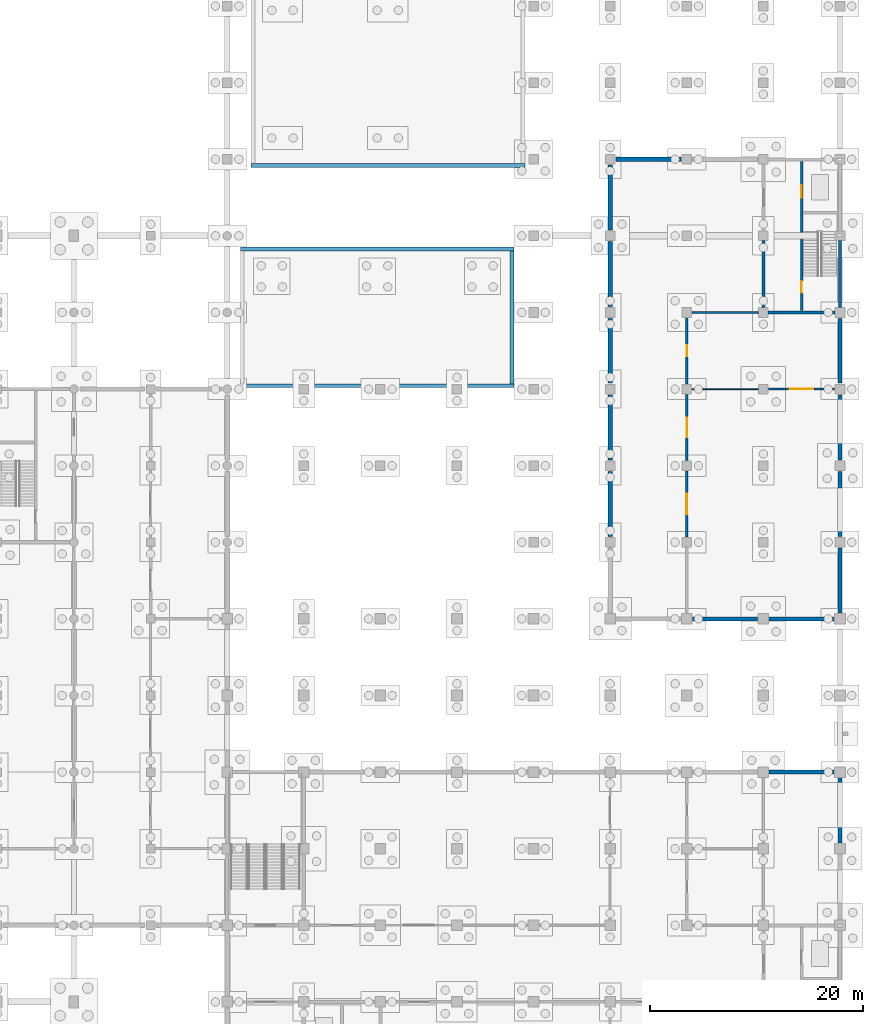
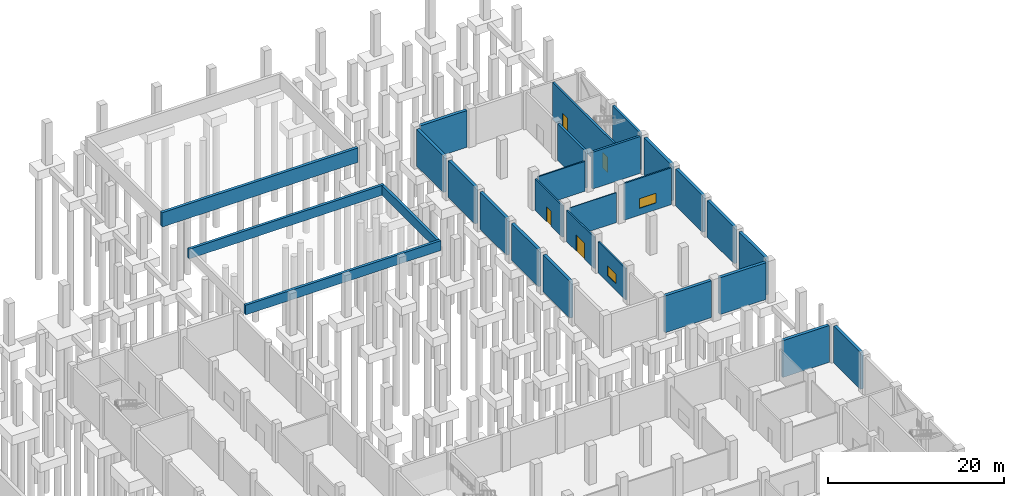
# One storey, part 25 of 35: 28 walls, 4 doors, 2 windows, 6 openings.
"""IFC4 building model written with IfcOpenShell, lengths in metres."""

from ifc_helpers import new_model, si_unit, direction, frame, frame_2d, origin, place, context, subcontext, project, spatial, rectangle, extrude, material, layer, layer_set, type_object, element, fill, save


model = new_model("IFC4")

# Units and contexts
model_context = context("Model", 3, precision=1e-05, world=origin(), true_north=direction((0.0, 1.0)))
body_context = subcontext(model_context, "Body", "Model", "MODEL_VIEW")
ifc_project = project(units=[si_unit("LENGTHUNIT", "METRE"), si_unit("AREAUNIT", "SQUARE_METRE"), si_unit("VOLUMEUNIT", "CUBIC_METRE"), si_unit("PLANEANGLEUNIT", "RADIAN"), si_unit("MASSUNIT", "GRAM", prefix="KILO")], contexts=[model_context])

# Site, building, storey
site_placement = place(None, origin())
site = spatial("IfcSite", under=ifc_project, at=site_placement, CompositionType="ELEMENT")
building_placement = place(site_placement, origin())
building = spatial("IfcBuilding", under=site, at=building_placement, Name="Vesperath Aquatics Centre", CompositionType="ELEMENT")
storey_placement = place(building_placement, frame((0.0, 0.0, -5.39990234375)))
storey = spatial("IfcBuildingStorey", under=building, at=storey_placement, Name="B1", CompositionType="ELEMENT", Elevation=-5.39990234375)

# Wall, opening, window
ifc_material_1 = material(Name="Masonry fire compartment wall", Category="masonry")
ifc_layer_1 = layer(ifc_material_1, 0.219970703125)
ifc_layer_set_1 = layer_set([ifc_layer_1], Name="Masonry fire compartment wall")
wall_type_1 = type_object("IfcWallType", Name="WL-FW02", PredefinedType="SOLIDWALL", material=ifc_layer_set_1)
wall_1_placement = place(storey_placement, frame((158.39990234375, 58.10009765625, 0.0), z_axis=(0.0, 0.0, 1.0), x_axis=(0.0, 1.0, 0.0)))
wall_1 = element("IfcWall", 1, at=wall_1_placement, inside=storey, type_object=wall_type_1, Name="Interior Partition FW02 B1_LINEN-W2", PredefinedType="SOLIDWALL", context=body_context, shape_type="SweptSolid", body=[
    extrude(rectangle(XDim=6.199951171875, YDim=0.219970703125, at=frame_2d((3.10009765625, 0.0))), origin(), (0.0, 0.0, 1.0), 4.369873046875),
])
opening_1_placement = place(wall_1_placement, frame((2.14990234375, 0.0, 0.949951171875)))
opening_1 = element("IfcOpeningElement", 2, at=opening_1_placement, cuts=wall_1, Name="Opening VW08", PredefinedType="OPENING", context=body_context, shape_type="SweptSolid", body=[
    extrude(rectangle(XDim=1.89990234375, YDim=1.35009765625, at=frame_2d((0.949951171875, 0.675048828125))), frame((0.0, 0.125, 0.0), z_axis=(0.0, -1.0, 0.0), x_axis=(1.0, 0.0, 0.0)), (0.0, 0.0, 1.0), 0.249755859375),
])
ifc_material_2 = material(Name="Acoustic laminated interior viewing glazing", Category="glass")
window_type_1 = type_object("IfcWindowType", Name="WN-IW08", PartitioningType="SINGLE_PANEL", PredefinedType="WINDOW", material=ifc_material_2)
window_1_placement = place(opening_1_placement, origin())
window_1 = element("IfcWindow", 3, at=window_1_placement, inside=storey, type_object=window_type_1, Name="Interior Viewing Window VW08 B1_LINEN", OverallHeight=1.35009765625, OverallWidth=1.89990234375, PartitioningType="SINGLE_PANEL", PredefinedType="WINDOW", context=body_context, shape_type="SweptSolid", body=[
    extrude(rectangle(XDim=1.89990234375, YDim=1.35009765625, at=frame_2d((0.949951171875, 0.675048828125))), frame((0.0, 0.030029296875, 0.0), z_axis=(0.0, -1.0, 0.0), x_axis=(1.0, 0.0, 0.0)), (0.0, 0.0, 1.0), 0.06005859375),
])
fill(opening_1, window_1)

# Wall, opening, door
ifc_material_3 = material(Name="Wet-village masonry block wall", Category="masonry")
ifc_layer_2 = layer(ifc_material_3, 0.199951171875)
ifc_layer_set_2 = layer_set([ifc_layer_2], Name="Wet-village masonry block wall")
wall_type_2 = type_object("IfcWallType", Name="WL-FW03", PredefinedType="SOLIDWALL", material=ifc_layer_set_2)
wall_2_placement = place(storey_placement, frame((158.39990234375, 65.300048828125, 0.0), z_axis=(0.0, 0.0, 1.0), x_axis=(0.0, 1.0, 0.0)))
wall_2 = element("IfcWall", 4, at=wall_2_placement, inside=storey, type_object=wall_type_2, Name="Interior Partition FW03 B1_LINEN-W3", PredefinedType="SOLIDWALL", context=body_context, shape_type="SweptSolid", body=[
    extrude(rectangle(XDim=6.199951171875, YDim=0.199951171875, at=frame_2d((3.10009765625, 0.0))), origin(), (0.0, 0.0, 1.0), 4.369873046875),
])
opening_2_placement = place(wall_2_placement, frame((2.175048828125, 0.0, 0.0)))
opening_2 = element("IfcOpeningElement", 5, at=opening_2_placement, cuts=wall_2, Name="Opening D15", PredefinedType="OPENING", context=body_context, shape_type="SweptSolid", body=[
    extrude(rectangle(XDim=1.85009765625, YDim=2.25, at=frame_2d((0.925048828125, 1.125))), frame((0.0, 0.11474609375, 0.0), z_axis=(0.0, -1.0, 0.0), x_axis=(1.0, 0.0, 0.0)), (0.0, 0.0, 1.0), 0.229736328125),
])
ifc_material_4 = material(Name="Pool equipment store double door", Category="steel")
door_type_1 = type_object("IfcDoorType", Name="DR-RM07", OperationType="DOUBLE_SWING_LEFT", PredefinedType="DOOR", material=ifc_material_4)
door_1_placement = place(opening_2_placement, frame((1.85009765625, 0.0, 0.0), z_axis=(0.0, 0.0, 1.0), x_axis=(-1.0, 0.0, 0.0)))
door_1 = element("IfcDoor", 6, at=door_1_placement, inside=storey, type_object=door_type_1, Name="Towel Laundry and Clean Linen Store Door D15", OperationType="DOUBLE_SWING_LEFT", OverallHeight=2.25, OverallWidth=1.85009765625, PredefinedType="DOOR", context=body_context, shape_type="SweptSolid", body=[
    extrude(rectangle(XDim=1.85009765625, YDim=2.25, at=frame_2d((0.925048828125, 1.125))), frame((0.0, 0.02490234375, 0.0), z_axis=(0.0, -1.0, 0.0), x_axis=(1.0, 0.0, 0.0)), (0.0, 0.0, 1.0), 0.050048828125),
])
fill(opening_2, door_1)

wall_3_placement = place(storey_placement, frame((158.39990234375, 72.5, 0.0), z_axis=(0.0, 0.0, 1.0), x_axis=(0.0, 1.0, 0.0)))
wall_3 = element("IfcWall", 7, at=wall_3_placement, inside=storey, type_object=wall_type_2, Name="Interior Partition FW03 B1_AWC-W1", PredefinedType="SOLIDWALL", context=body_context, shape_type="SweptSolid", body=[
    extrude(rectangle(XDim=6.199951171875, YDim=0.199951171875, at=frame_2d((3.10009765625, 0.0))), origin(), (0.0, 0.0, 1.0), 4.369873046875),
])
opening_3_placement = place(wall_3_placement, frame((2.60009765625, 0.0, 0.0)))
opening_3 = element("IfcOpeningElement", 8, at=opening_3_placement, cuts=wall_3, Name="Opening D06", PredefinedType="OPENING", context=body_context, shape_type="SweptSolid", body=[
    extrude(rectangle(XDim=1.0, YDim=2.10009765625, at=frame_2d((0.5, 1.050048828125))), frame((0.0, 0.11474609375, 0.0), z_axis=(0.0, -1.0, 0.0), x_axis=(1.0, 0.0, 0.0)), (0.0, 0.0, 1.0), 0.229736328125),
])
ifc_material_5 = material(Name="Moisture-resistant HPL accessible toilet door", Category="wood")
door_type_2 = type_object("IfcDoorType", Name="DR-WC01", OperationType="NOTDEFINED", PredefinedType="DOOR", material=ifc_material_5)
door_2_placement = place(opening_3_placement, frame((1.0, 0.0, 0.0), z_axis=(0.0, 0.0, 1.0), x_axis=(-1.0, 0.0, 0.0)))
door_2 = element("IfcDoor", 9, at=door_2_placement, inside=storey, type_object=door_type_2, Name="Accessible WC B1 Door D06", OperationType="SINGLE_SWING_RIGHT", OverallHeight=2.10009765625, OverallWidth=1.0, PredefinedType="DOOR", context=body_context, shape_type="SweptSolid", body=[
    extrude(rectangle(XDim=1.0, YDim=2.10009765625, at=frame_2d((0.5, 1.050048828125))), frame((0.0, 0.02490234375, 0.0), z_axis=(0.0, -1.0, 0.0), x_axis=(1.0, 0.0, 0.0)), (0.0, 0.0, 1.0), 0.050048828125),
])
fill(opening_3, door_2)

# Walls
ifc_material_6 = material(Name="Moisture-resistant tiled wet partition", Category="gypsum")
ifc_layer_3 = layer(ifc_material_6, 0.175048828125)
ifc_layer_set_3 = layer_set([ifc_layer_3], Name="Moisture-resistant tiled wet partition")
wall_type_3 = type_object("IfcWallType", Name="WL-IW02", PredefinedType="PARTITIONING", material=ifc_layer_set_3)
wall_4_placement = place(storey_placement, frame((158.89990234375, 79.199951171875, 0.0), z_axis=(0.0, 0.0, 1.0), x_axis=(1.0, 0.0, 0.0)))
element("IfcWall", 10, at=wall_4_placement, inside=storey, type_object=wall_type_3, Name="Interior Partition IW02 B1_AWC-N1", PredefinedType="PARTITIONING", context=body_context, shape_type="SweptSolid", body=[
    extrude(rectangle(XDim=6.2001953125, YDim=0.175048828125, at=frame_2d((3.10009765625, 0.0))), origin(), (0.0, 0.0, 1.0), 4.169921875),
])
ifc_material_7 = material(Name="Poolside glazed screen partition", Category="gypsum")
ifc_layer_4 = layer(ifc_material_7, 0.094970703125)
ifc_layer_set_4 = layer_set([ifc_layer_4], Name="Poolside glazed screen partition")
wall_type_4 = type_object("IfcWallType", Name="WL-IW13", PredefinedType="PARTITIONING", material=ifc_layer_set_4)
wall_5_placement = place(storey_placement, frame((158.89990234375, 72.0, 0.0), z_axis=(0.0, 0.0, 1.0), x_axis=(1.0, 0.0, 0.0)))
element("IfcWall", 11, at=wall_5_placement, inside=storey, type_object=wall_type_4, Name="Interior Partition IW13 B1_LINEN-N1", PredefinedType="PARTITIONING", context=body_context, shape_type="SweptSolid", body=[
    extrude(rectangle(XDim=6.2001953125, YDim=0.094970703125, at=frame_2d((3.10009765625, 0.0))), origin(), (0.0, 0.0, 1.0), 4.169921875),
])

# Wall, opening, window
ifc_material_8 = material(Name="Shaft enclosure fire partition", Category="gypsum")
ifc_layer_5 = layer(ifc_material_8, 0.195068359375)
ifc_layer_set_5 = layer_set([ifc_layer_5], Name="Shaft enclosure fire partition")
wall_type_5 = type_object("IfcWallType", Name="WL-IW14", PredefinedType="PARTITIONING", material=ifc_layer_set_5)
wall_6_placement = place(storey_placement, frame((166.10009765625, 72.0, 0.0), z_axis=(0.0, 0.0, 1.0), x_axis=(1.0, 0.0, 0.0)))
wall_6 = element("IfcWall", 12, at=wall_6_placement, inside=storey, type_object=wall_type_5, Name="Interior Partition IW14 B1_LINEN-N2", PredefinedType="PARTITIONING", context=body_context, shape_type="SweptSolid", body=[
    extrude(rectangle(XDim=6.199951171875, YDim=0.195068359375, at=frame_2d((3.10009765625, 0.0))), origin(), (0.0, 0.0, 1.0), 5.119873046875),
])
opening_4_placement = place(wall_6_placement, frame((2.0, 0.0, 0.949951171875)))
opening_4 = element("IfcOpeningElement", 13, at=opening_4_placement, cuts=wall_6, Name="Opening VW07", PredefinedType="OPENING", context=body_context, shape_type="SweptSolid", body=[
    extrude(rectangle(XDim=2.199951171875, YDim=1.35009765625, at=frame_2d((1.10009765625, 0.675048828125))), frame((0.0, 0.1123046875, 0.0), z_axis=(0.0, -1.0, 0.0), x_axis=(1.0, 0.0, 0.0)), (0.0, 0.0, 1.0), 0.224853515625),
])
window_type_2 = type_object("IfcWindowType", Name="WN-IW07", PartitioningType="SINGLE_PANEL", PredefinedType="WINDOW", material=ifc_material_2)
window_2_placement = place(opening_4_placement, origin())
window_2 = element("IfcWindow", 14, at=window_2_placement, inside=storey, type_object=window_type_2, Name="Interior Viewing Window VW07 B1_LINEN", OverallHeight=1.35009765625, OverallWidth=2.199951171875, PartitioningType="SINGLE_PANEL", PredefinedType="WINDOW", context=body_context, shape_type="SweptSolid", body=[
    extrude(rectangle(XDim=2.199951171875, YDim=1.35009765625, at=frame_2d((1.10009765625, 0.675048828125))), frame((0.0, 0.030029296875, 0.0), z_axis=(0.0, -1.0, 0.0), x_axis=(1.0, 0.0, 0.0)), (0.0, 0.0, 1.0), 0.06005859375),
])
fill(opening_4, window_2)

# Walls
ifc_material_9 = material(Name="Concrete C40", Category="concrete")
ifc_layer_6 = layer(ifc_material_9, 0.3798828125)
ifc_layer_set_6 = layer_set([ifc_layer_6], Name="Concrete C40")
wall_type_6 = type_object("IfcWallType", Name="WL-PW03", PredefinedType="SOLIDWALL", material=ifc_layer_set_6)
wall_7_placement = place(storey_placement, frame((117.419921875, 93.010009765625, 3.39990234375), z_axis=(0.0, 0.0, 1.0), x_axis=(1.0, 0.0, 0.0)))
element("IfcWall", 15, at=wall_7_placement, inside=storey, type_object=wall_type_6, Name="Training and Warm-Up Pool Basin Wall PW03-S", PredefinedType="SOLIDWALL", context=body_context, shape_type="SweptSolid", body=[
    extrude(rectangle(XDim=25.760009765625, YDim=0.3798828125, at=frame_2d((12.8798828125, 0.0))), origin(), (0.0, 0.0, 1.0), 2.0),
])
ifc_layer_7 = layer(ifc_material_9, 0.35009765625)
ifc_layer_set_7 = layer_set([ifc_layer_7], Name="Concrete C40")
wall_type_7 = type_object("IfcWallType", Name="WL-PW04", PredefinedType="SOLIDWALL", material=ifc_layer_set_7)
for number, where, z_axis, x_axis, name in (
    (16, (116.449951171875, 72.324951171875, 4.0498046875), (0.0, 0.0, 1.0), (1.0, 0.0, 0.0), "Leisure and Teaching Pool Basin Wall PW04-S"),
    (17, (116.449951171875, 85.175048828125, 4.0498046875), (0.0, 0.0, 1.0), (1.0, 0.0, 0.0), "Leisure and Teaching Pool Basin Wall PW04-N"),
):
    element("IfcWall", number, at=place(storey_placement, frame(where, z_axis=z_axis, x_axis=x_axis)), inside=storey, type_object=wall_type_7, Name=name, PredefinedType="SOLIDWALL", context=body_context, shape_type="SweptSolid", body=[
        extrude(rectangle(XDim=25.699951171875, YDim=0.35009765625, at=frame_2d((12.85009765625, 0.0))), origin(), (0.0, 0.0, 1.0), 1.35009765625),
    ])
wall_8_placement = place(storey_placement, frame((141.97509765625, 72.5, 4.0498046875), z_axis=(0.0, 0.0, 1.0), x_axis=(0.0, 1.0, 0.0)))
element("IfcWall", 18, at=wall_8_placement, inside=storey, type_object=wall_type_7, Name="Leisure and Teaching Pool Basin Wall PW04-E", PredefinedType="SOLIDWALL", context=body_context, shape_type="SweptSolid", body=[
    extrude(rectangle(XDim=12.5, YDim=0.35009765625, at=frame_2d((6.25, 0.0))), origin(), (0.0, 0.0, 1.0), 1.35009765625),
])
ifc_layer_8 = layer(ifc_material_9, 0.39990234375)
ifc_layer_set_8 = layer_set([ifc_layer_8], Name="Concrete C40")
wall_type_8 = type_object("IfcWallType", Name="WL-RW01", PredefinedType="USERDEFINED", material=ifc_layer_set_8)
for number, where, z_axis, x_axis, name in (
    (19, (166.14990234375, 36.0, 0.0), (0.0, 0.0, 1.0), (1.0, 0.0, 0.0), "Basement Retaining Wall RW01-H037"),
    (20, (158.949951171875, 50.39990234375, 0.0), (0.0, 0.0, 1.0), (1.0, 0.0, 0.0), "Basement Retaining Wall RW01-H039"),
    (21, (166.14990234375, 50.39990234375, 0.0), (0.0, 0.0, 1.0), (1.0, 0.0, 0.0), "Basement Retaining Wall RW01-H040"),
    (22, (151.75, 93.60009765625, 0.0), (0.0, 0.0, 1.0), (1.0, 0.0, 0.0), "Basement Retaining Wall RW01-H043"),
    (23, (151.199951171875, 58.14990234375, 0.0), (0.0, 0.0, 1.0), (0.0, 1.0, 0.0), "Basement Retaining Wall RW01-V073"),
):
    element("IfcWall", number, at=place(storey_placement, frame(where, z_axis=z_axis, x_axis=x_axis)), inside=storey, type_object=wall_type_8, Name=name, ObjectType="RETAININGWALL", PredefinedType="USERDEFINED", context=body_context, shape_type="SweptSolid", body=[
        extrude(rectangle(XDim=6.10009765625, YDim=0.39990234375, at=frame_2d((3.050048828125, 0.0))), origin(), (0.0, 0.0, 1.0), 5.119873046875),
    ])
for number, where, z_axis, x_axis, name in (
    (24, (151.199951171875, 65.35009765625, 0.0), (0.0, 0.0, 1.0), (0.0, 1.0, 0.0), "Basement Retaining Wall RW01-V074"),
    (25, (151.199951171875, 72.550048828125, 0.0), (0.0, 0.0, 1.0), (0.0, 1.0, 0.0), "Basement Retaining Wall RW01-V075"),
):
    element("IfcWall", number, at=place(storey_placement, frame(where, z_axis=z_axis, x_axis=x_axis)), inside=storey, type_object=wall_type_8, Name=name, ObjectType="RETAININGWALL", PredefinedType="USERDEFINED", context=body_context, shape_type="SweptSolid", body=[
        extrude(rectangle(XDim=6.099853515625, YDim=0.39990234375, at=frame_2d((3.0498046875, 0.0))), origin(), (0.0, 0.0, 1.0), 5.119873046875),
    ])
for number, where, z_axis, x_axis, name in (
    (26, (151.199951171875, 79.75, 0.0), (0.0, 0.0, 1.0), (0.0, 1.0, 0.0), "Basement Retaining Wall RW01-V076"),
    (27, (151.199951171875, 86.949951171875, 0.0), (0.0, 0.0, 1.0), (0.0, 1.0, 0.0), "Basement Retaining Wall RW01-V077"),
):
    element("IfcWall", number, at=place(storey_placement, frame(where, z_axis=z_axis, x_axis=x_axis)), inside=storey, type_object=wall_type_8, Name=name, ObjectType="RETAININGWALL", PredefinedType="USERDEFINED", context=body_context, shape_type="SweptSolid", body=[
        extrude(rectangle(XDim=6.10009765625, YDim=0.39990234375, at=frame_2d((3.050048828125, 0.0))), origin(), (0.0, 0.0, 1.0), 5.119873046875),
    ])
wall_9_placement = place(storey_placement, frame((172.800048828125, 29.35009765625, 0.0), z_axis=(0.0, 0.0, 1.0), x_axis=(0.0, 1.0, 0.0)))
element("IfcWall", 28, at=wall_9_placement, inside=storey, type_object=wall_type_8, Name="Basement Retaining Wall RW01-V079", ObjectType="RETAININGWALL", PredefinedType="USERDEFINED", context=body_context, shape_type="SweptSolid", body=[
    extrude(rectangle(XDim=6.099853515625, YDim=0.39990234375, at=frame_2d((3.0498046875, 0.0))), origin(), (0.0, 0.0, 1.0), 5.119873046875),
])
for number, where, z_axis, x_axis, name in (
    (29, (172.800048828125, 50.949951171875, 0.0), (0.0, 0.0, 1.0), (0.0, 1.0, 0.0), "Basement Retaining Wall RW01-V080"),
    (30, (172.800048828125, 58.14990234375, 0.0), (0.0, 0.0, 1.0), (0.0, 1.0, 0.0), "Basement Retaining Wall RW01-V081"),
):
    element("IfcWall", number, at=place(storey_placement, frame(where, z_axis=z_axis, x_axis=x_axis)), inside=storey, type_object=wall_type_8, Name=name, ObjectType="RETAININGWALL", PredefinedType="USERDEFINED", context=body_context, shape_type="SweptSolid", body=[
        extrude(rectangle(XDim=6.10009765625, YDim=0.39990234375, at=frame_2d((3.050048828125, 0.0))), origin(), (0.0, 0.0, 1.0), 5.119873046875),
    ])
for number, where, z_axis, x_axis, name in (
    (31, (172.800048828125, 65.35009765625, 0.0), (0.0, 0.0, 1.0), (0.0, 1.0, 0.0), "Basement Retaining Wall RW01-V082"),
    (32, (172.800048828125, 72.550048828125, 0.0), (0.0, 0.0, 1.0), (0.0, 1.0, 0.0), "Basement Retaining Wall RW01-V083"),
):
    element("IfcWall", number, at=place(storey_placement, frame(where, z_axis=z_axis, x_axis=x_axis)), inside=storey, type_object=wall_type_8, Name=name, ObjectType="RETAININGWALL", PredefinedType="USERDEFINED", context=body_context, shape_type="SweptSolid", body=[
        extrude(rectangle(XDim=6.099853515625, YDim=0.39990234375, at=frame_2d((3.0498046875, 0.0))), origin(), (0.0, 0.0, 1.0), 5.119873046875),
    ])
ifc_layer_9 = layer(ifc_material_9, 0.280029296875)
ifc_layer_set_9 = layer_set([ifc_layer_9], Name="Concrete C40")
wall_type_9 = type_object("IfcWallType", Name="WL-SW02", PredefinedType="SHEAR", material=ifc_layer_set_9)
for number, where, z_axis, x_axis, name in (
    (33, (166.050048828125, 79.199951171875, 0.0), (0.0, 0.0, 1.0), (1.0, 0.0, 0.0), "Core C4 South Shear Wall SW02 B1"),
    (34, (165.60009765625, 79.64990234375, 0.0), (0.0, 0.0, 1.0), (0.0, 1.0, 0.0), "Core C4 West-1 Shear Wall SW02 B1"),
    (35, (172.800048828125, 79.64990234375, 0.0), (0.0, 0.0, 1.0), (0.0, 1.0, 0.0), "Core C4 East-1 Shear Wall SW02 B1"),
):
    element("IfcWall", number, at=place(storey_placement, frame(where, z_axis=z_axis, x_axis=x_axis)), inside=storey, type_object=wall_type_9, Name=name, PredefinedType="SHEAR", context=body_context, shape_type="SweptSolid", body=[
        extrude(rectangle(XDim=6.300048828125, YDim=0.280029296875, at=frame_2d((3.14990234375, 0.0))), origin(), (0.0, 0.0, 1.0), 5.119873046875),
    ])

# Wall, openings, doors
ifc_layer_10 = layer(ifc_material_9, 0.260009765625)
ifc_layer_set_10 = layer_set([ifc_layer_10], Name="Concrete C40")
wall_type_10 = type_object("IfcWallType", Name="WL-SW03", PredefinedType="SHEAR", material=ifc_layer_set_10)
wall_10_placement = place(storey_placement, frame((169.199951171875, 79.39990234375, 0.0), z_axis=(0.0, 0.0, 1.0), x_axis=(0.0, 1.0, 0.0)))
wall_10 = element("IfcWall", 36, at=wall_10_placement, inside=storey, type_object=wall_type_10, Name="Core C4 Spine Shear Wall SW03 B1", PredefinedType="SHEAR", context=body_context, shape_type="SweptSolid", body=[
    extrude(rectangle(XDim=14.0, YDim=0.260009765625, at=frame_2d((7.0, 0.0))), origin(), (0.0, 0.0, 1.0), 5.119873046875),
])
opening_5_placement = place(wall_10_placement, frame((1.64990234375, 0.0, 0.0)))
opening_5 = element("IfcOpeningElement", 37, at=opening_5_placement, cuts=wall_10, Name="Opening D01", PredefinedType="OPENING", context=body_context, shape_type="SweptSolid", body=[
    extrude(rectangle(XDim=1.10009765625, YDim=2.14990234375, at=frame_2d((0.550048828125, 1.074951171875))), frame((0.0, 0.14501953125, 0.0), z_axis=(0.0, -1.0, 0.0), x_axis=(1.0, 0.0, 0.0)), (0.0, 0.0, 1.0), 0.289794921875),
])
opening_6_placement = place(wall_10_placement, frame((10.60009765625, 0.0, 0.0)))
opening_6 = element("IfcOpeningElement", 38, at=opening_6_placement, cuts=wall_10, Name="Opening LD02", PredefinedType="OPENING", context=body_context, shape_type="SweptSolid", body=[
    extrude(rectangle(XDim=1.14990234375, YDim=2.199951171875, at=frame_2d((0.574951171875, 1.10009765625))), frame((0.0, 0.14501953125, 0.0), z_axis=(0.0, -1.0, 0.0), x_axis=(1.0, 0.0, 0.0)), (0.0, 0.0, 1.0), 0.289794921875),
])
ifc_material_10 = material(Name="Steel-faced acoustic fire door", Category="steel")
door_type_3 = type_object("IfcDoorType", Name="DR-FD01", OperationType="NOTDEFINED", PredefinedType="DOOR", material=ifc_material_10)
door_3_placement = place(opening_5_placement, frame((1.10009765625, 0.0, 0.0), z_axis=(0.0, 0.0, 1.0), x_axis=(-1.0, 0.0, 0.0)))
door_3 = element("IfcDoor", 39, at=door_3_placement, inside=storey, type_object=door_type_3, Name="Stair ST4 Fire Door D01 B1", OperationType="SINGLE_SWING_LEFT", OverallHeight=2.14990234375, OverallWidth=1.10009765625, PredefinedType="DOOR", context=body_context, shape_type="SweptSolid", body=[
    extrude(rectangle(XDim=1.10009765625, YDim=2.14990234375, at=frame_2d((0.550048828125, 1.074951171875))), frame((0.0, 0.02490234375, 0.0), z_axis=(0.0, -1.0, 0.0), x_axis=(1.0, 0.0, 0.0)), (0.0, 0.0, 1.0), 0.050048828125),
])
fill(opening_5, door_3)
ifc_material_11 = material(Name="Brushed stainless steel lift landing door", Category="steel")
door_type_4 = type_object("IfcDoorType", Name="DR-LD02", OperationType="SLIDING_TO_RIGHT", PredefinedType="DOOR", material=ifc_material_11)
door_4_placement = place(opening_6_placement, origin())
door_4 = element("IfcDoor", 40, at=door_4_placement, inside=storey, type_object=door_type_4, Name="Lift LFT-P3 Sliding Landing Door LD02 B1", OperationType="SLIDING_TO_RIGHT", OverallHeight=2.199951171875, OverallWidth=1.14990234375, PredefinedType="DOOR", context=body_context, shape_type="SweptSolid", body=[
    extrude(rectangle(XDim=1.14990234375, YDim=2.199951171875, at=frame_2d((0.574951171875, 1.10009765625))), frame((0.0, 0.02490234375, 0.0), z_axis=(0.0, -1.0, 0.0), x_axis=(1.0, 0.0, 0.0)), (0.0, 0.0, 1.0), 0.050048828125),
])
fill(opening_6, door_4)

save(model, "model.ifc")
